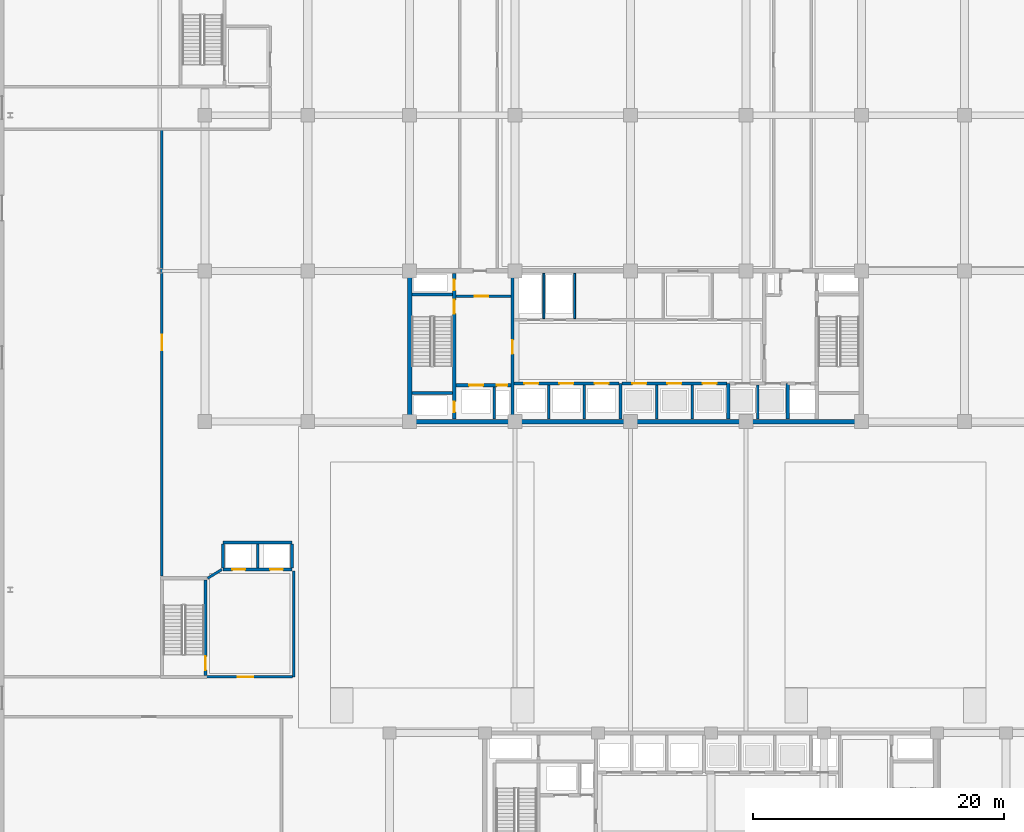
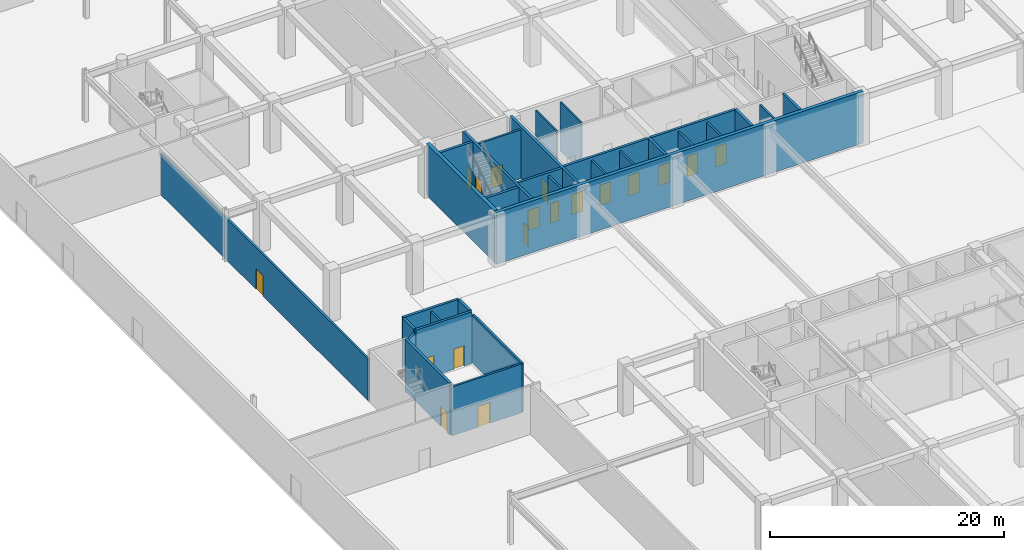
# One storey, part 25 of 46: 31 walls, 18 doors, 18 openings.
"""IFC4 building model written with IfcOpenShell, lengths in metres."""

from ifc_helpers import new_model, si_unit, direction, frame, frame_2d, origin, place, context, subcontext, project, spatial, rectangle, extrude, material, layer, layer_set, type_object, element, fill, save


model = new_model("IFC4")

# Units and contexts
model_context = context("Model", 3, precision=1e-05, world=origin(), true_north=direction((0.0, 1.0)))
body_context = subcontext(model_context, "Body", "Model", "MODEL_VIEW")
ifc_project = project(units=[si_unit("LENGTHUNIT", "METRE"), si_unit("AREAUNIT", "SQUARE_METRE"), si_unit("VOLUMEUNIT", "CUBIC_METRE"), si_unit("PLANEANGLEUNIT", "RADIAN"), si_unit("MASSUNIT", "GRAM", prefix="KILO")], contexts=[model_context])

# Site, building, storey
site_placement = place(None, origin())
site = spatial("IfcSite", under=ifc_project, at=site_placement, CompositionType="ELEMENT")
building_placement = place(site_placement, origin())
building = spatial("IfcBuilding", under=site, at=building_placement, Name="Korimba Cascade Residences", CompositionType="ELEMENT")
storey_placement = place(building_placement, origin())
storey = spatial("IfcBuildingStorey", under=building, at=storey_placement, Name="L00", CompositionType="ELEMENT", Elevation=0.0)

# Walls
ifc_material_1 = material(Name="Concrete C65/80", Category="concrete")
ifc_layer_1 = layer(ifc_material_1, 0.35009765625)
ifc_layer_set_1 = layer_set([ifc_layer_1], Name="Concrete C65/80")
wall_type_1 = type_object("IfcWallType", Name="WAL-CORE-350", PredefinedType="SHEAR", material=ifc_layer_set_1)
wall_1_placement = place(storey_placement, frame((75.949951171875, 55.199951171875, 0.0), z_axis=(0.0, 0.0, 1.0), x_axis=(1.0, 0.0, 0.0)))
element("IfcWall", 1, at=wall_1_placement, inside=storey, type_object=wall_type_1, Name="L00 Core Shear Wall CW-L00-T1-S", PredefinedType="SHEAR", context=body_context, shape_type="SweptSolid", body=[
    extrude(rectangle(XDim=36.300048828125, YDim=0.35009765625, at=frame_2d((18.14990234375, 0.0))), origin(), (0.0, 0.0, 1.0), 5.39990234375),
])
wall_2_placement = place(storey_placement, frame((76.125, 55.375, 0.0), z_axis=(0.0, 0.0, 1.0), x_axis=(0.0, 1.0, 0.0)))
element("IfcWall", 2, at=wall_2_placement, inside=storey, type_object=wall_type_1, Name="L00 Core Shear Wall CW-L00-T1-W", PredefinedType="SHEAR", context=body_context, shape_type="SweptSolid", body=[
    extrude(rectangle(XDim=11.64990234375, YDim=0.35009765625, at=frame_2d((5.824951171875, 0.0))), origin(), (0.0, 0.0, 1.0), 5.39990234375),
])
ifc_material_2 = material(Name="Insulated Acoustic Stud Partition", Category="gypsum")
ifc_layer_2 = layer(ifc_material_2, 0.14990234375)
ifc_layer_set_2 = layer_set([ifc_layer_2], Name="Insulated Acoustic Stud Partition")
wall_type_2 = type_object("IfcWallType", Name="WAL-PART-150", PredefinedType="PARTITIONING", material=ifc_layer_set_2)
for number, where, z_axis, x_axis, name in (
    (3, (86.800048828125, 63.39990234375, 0.0), (0.0, 0.0, 1.0), (0.0, 1.0, 0.0), "L00 Partition Wall CW-L00-T1-ERDIV"),
    (4, (89.25, 63.39990234375, 0.0), (0.0, 0.0, 1.0), (0.0, 1.0, 0.0), "L00 Partition Wall CW-L00-T1-PRDIV"),
):
    element("IfcWall", number, at=place(storey_placement, frame(where, z_axis=z_axis, x_axis=x_axis)), inside=storey, type_object=wall_type_2, Name=name, PredefinedType="PARTITIONING", context=body_context, shape_type="SweptSolid", body=[
        extrude(rectangle(XDim=3.60009765625, YDim=0.14990234375, at=frame_2d((1.800048828125, 0.0))), origin(), (0.0, 0.0, 1.0), 5.10009765625),
    ])
ifc_material_3 = material(Name="Concrete C40/50", Category="concrete")
ifc_layer_3 = layer(ifc_material_3, 0.199951171875)
ifc_layer_set_3 = layer_set([ifc_layer_3], Name="Concrete C40/50")
wall_type_3 = type_object("IfcWallType", Name="WAL-PART-200", PredefinedType="PARTITIONING", material=ifc_layer_set_3)
wall_3_placement = place(storey_placement, frame((82.85009765625, 55.39990234375, 0.0), z_axis=(0.0, 0.0, 1.0), x_axis=(0.0, 1.0, 0.0)))
element("IfcWall", 5, at=wall_3_placement, inside=storey, type_object=wall_type_3, Name="L00 Partition Wall CW-L00-T1-FFLDIV", PredefinedType="PARTITIONING", context=body_context, shape_type="SweptSolid", body=[
    extrude(rectangle(XDim=2.56005859375, YDim=0.199951171875, at=frame_2d((1.280029296875, 0.0))), origin(), (0.0, 0.0, 1.0), 5.10009765625),
])

# Wall, opening, door
wall_4_placement = place(storey_placement, frame((79.7900390625, 65.179931640625, 0.0), z_axis=(0.0, 0.0, 1.0), x_axis=(1.0, 0.0, 0.0)))
wall_4 = element("IfcWall", 6, at=wall_4_placement, inside=storey, type_object=wall_type_3, Name="L00 Partition Wall CW-L00-T1-FFLN", PredefinedType="PARTITIONING", context=body_context, shape_type="SweptSolid", body=[
    extrude(rectangle(XDim=4.389892578125, YDim=0.199951171875, at=frame_2d((2.19482421875, 0.0))), origin(), (0.0, 0.0, 1.0), 5.10009765625),
])
opening_1_placement = place(wall_4_placement, frame((1.5, 0.0, 0.0)))
opening_1 = element("IfcOpeningElement", 7, at=opening_1_placement, cuts=wall_4, Name="Opening D-FD1", PredefinedType="OPENING", context=body_context, shape_type="SweptSolid", body=[
    extrude(rectangle(XDim=1.10009765625, YDim=2.10009765625, at=frame_2d((0.550048828125, 1.050048828125))), frame((0.0, 0.10986328125, 0.0), z_axis=(0.0, -1.0, 0.0), x_axis=(1.0, 0.0, 0.0)), (0.0, 0.0, 1.0), 0.219970703125),
])
ifc_material_4 = material(Name="Fire-Rated Steel Core Door", Category="steel")
door_type_1 = type_object("IfcDoorType", Name="DR-FD120-1100", OperationType="NOTDEFINED", PredefinedType="DOOR", material=ifc_material_4)
door_1_placement = place(opening_1_placement, origin())
door_1 = element("IfcDoor", 8, at=door_1_placement, inside=storey, type_object=door_type_1, Name="L00 West Firefighting Lobby Door", OperationType="SINGLE_SWING_RIGHT", OverallHeight=2.10009765625, OverallWidth=1.10009765625, PredefinedType="DOOR", context=body_context, shape_type="SweptSolid", body=[
    extrude(rectangle(XDim=1.10009765625, YDim=2.10009765625, at=frame_2d((0.550048828125, 1.050048828125))), frame((0.0, 0.02490234375, 0.0), z_axis=(0.0, -1.0, 0.0), x_axis=(1.0, 0.0, 0.0)), (0.0, 0.0, 1.0), 0.050048828125),
])
fill(opening_1, door_1)

# Walls
for number, where, z_axis, x_axis, name in (
    (9, (87.199951171875, 55.39990234375, 0.0), (0.0, 0.0, 1.0), (0.0, 1.0, 0.0), "L00 Partition Wall CW-L00-T1-B1D1"),
    (10, (90.0, 55.39990234375, 0.0), (0.0, 0.0, 1.0), (0.0, 1.0, 0.0), "L00 Partition Wall CW-L00-T1-B1D2"),
    (11, (95.800048828125, 55.39990234375, 0.0), (0.0, 0.0, 1.0), (0.0, 1.0, 0.0), "L00 Partition Wall CW-L00-T1-B2D1"),
    (12, (98.60009765625, 55.39990234375, 0.0), (0.0, 0.0, 1.0), (0.0, 1.0, 0.0), "L00 Partition Wall CW-L00-T1-B2D2"),
    (13, (103.85009765625, 55.39990234375, 0.0), (0.0, 0.0, 1.0), (0.0, 1.0, 0.0), "L00 Partition Wall CW-L00-T1-B3D1"),
):
    element("IfcWall", number, at=place(storey_placement, frame(where, z_axis=z_axis, x_axis=x_axis)), inside=storey, type_object=wall_type_3, Name=name, PredefinedType="PARTITIONING", context=body_context, shape_type="SweptSolid", body=[
        extrude(rectangle(XDim=2.72021484375, YDim=0.199951171875, at=frame_2d((1.360107421875, 0.0))), origin(), (0.0, 0.0, 1.0), 5.10009765625),
    ])
wall_5_placement = place(storey_placement, frame((64.0, 43.550048828125, 0.0), z_axis=(0.0, 0.0, 1.0), x_axis=(0.0, 1.0, 0.0)))
element("IfcWall", 14, at=wall_5_placement, inside=storey, type_object=wall_type_3, Name="L00 Partition Wall CW-L00-SHPM", PredefinedType="PARTITIONING", context=body_context, shape_type="SweptSolid", body=[
    extrude(rectangle(XDim=1.89990234375, YDim=0.199951171875, at=frame_2d((0.949951171875, 0.0))), origin(), (0.0, 0.0, 1.0), 5.10009765625),
])

# Wall, opening, door
wall_6_placement = place(storey_placement, frame((59.840087890625, 34.875, 0.0), z_axis=(0.0, 0.0, 1.0), x_axis=(1.0, 0.0, 0.0)))
wall_6 = element("IfcWall", 15, at=wall_6_placement, inside=storey, type_object=wall_type_3, Name="L00 Partition Wall CW-L00-PLOBS", PredefinedType="PARTITIONING", context=body_context, shape_type="SweptSolid", body=[
    extrude(rectangle(XDim=6.9599609375, YDim=0.199951171875, at=frame_2d((3.47998046875, 0.0))), origin(), (0.0, 0.0, 1.0), 5.10009765625),
])
opening_2_placement = place(wall_6_placement, frame((2.60009765625, 0.0, 0.0)))
opening_2 = element("IfcOpeningElement", 16, at=opening_2_placement, cuts=wall_6, Name="Opening D-FD7", PredefinedType="OPENING", context=body_context, shape_type="SweptSolid", body=[
    extrude(rectangle(XDim=1.199951171875, YDim=2.179931640625, at=frame_2d((0.60009765625, 1.08984375))), frame((0.0, 0.10986328125, 0.0), z_axis=(0.0, -1.0, 0.0), x_axis=(1.0, 0.0, 0.0)), (0.0, 0.0, 1.0), 0.219970703125),
])
ifc_material_5 = material(Name="Fire-Rated Shuttle Lobby Door", Category="wood")
door_type_2 = type_object("IfcDoorType", Name="DR-FD90-1200", OperationType="NOTDEFINED", PredefinedType="DOOR", material=ifc_material_5)
door_2_placement = place(opening_2_placement, origin())
door_2 = element("IfcDoor", 17, at=door_2_placement, inside=storey, type_object=door_type_2, Name="L00 Shuttle Lobby Door", OperationType="SINGLE_SWING_RIGHT", OverallHeight=2.179931640625, OverallWidth=1.199951171875, PredefinedType="DOOR", context=body_context, shape_type="SweptSolid", body=[
    extrude(rectangle(XDim=1.199951171875, YDim=2.179931640625, at=frame_2d((0.60009765625, 1.08984375))), frame((0.0, 0.02490234375, 0.0), z_axis=(0.0, -1.0, 0.0), x_axis=(1.0, 0.0, 0.0)), (0.0, 0.0, 1.0), 0.050048828125),
])
fill(opening_2, door_2)

# Walls
wall_7_placement = place(storey_placement, frame((66.89990234375, 34.875, 0.0), z_axis=(0.0, 0.0, 1.0), x_axis=(0.0, 1.0, 0.0)))
element("IfcWall", 18, at=wall_7_placement, inside=storey, type_object=wall_type_3, Name="L00 Partition Wall CW-L00-PLOBE", PredefinedType="PARTITIONING", context=body_context, shape_type="SweptSolid", body=[
    extrude(rectangle(XDim=8.425048828125, YDim=0.199951171875, at=frame_2d((4.21240234375, 0.0))), origin(), (0.0, 0.0, 1.0), 5.10009765625),
])
wall_8_placement = place(storey_placement, frame((60.02001953125, 42.72509765625, 0.0), z_axis=(0.0, 0.0, 1.0), x_axis=(0.851822584555, 0.523830396638, 0.0)))
element("IfcWall", 19, at=wall_8_placement, inside=storey, type_object=wall_type_3, Name="L00 Partition Wall CW-L00-PLOBN", PredefinedType="PARTITIONING", context=body_context, shape_type="SweptSolid", body=[
    extrude(rectangle(XDim=1.326416015625, YDim=0.199951171875, at=frame_2d((0.6630859375, 0.0))), origin(), (0.0, 0.0, 1.0), 5.10009765625),
])

# Wall, opening, door
wall_9_placement = place(storey_placement, frame((56.375, 42.89990234375, 0.0), z_axis=(0.0, 0.0, 1.0), x_axis=(0.0, 1.0, 0.0)))
wall_9 = element("IfcWall", 20, at=wall_9_placement, inside=storey, type_object=wall_type_3, Name="L00 Partition Wall WAL-L00-BKE", PredefinedType="PARTITIONING", context=body_context, shape_type="SweptSolid", body=[
    extrude(rectangle(XDim=35.550048828125, YDim=0.199951171875, at=frame_2d((17.77490234375, 0.0))), origin(), (0.0, 0.0, 1.0), 4.330078125),
])
opening_3_placement = place(wall_9_placement, frame((18.0, 0.0, 0.0)))
opening_3 = element("IfcOpeningElement", 21, at=opening_3_placement, cuts=wall_9, Name="Opening D-AM1", PredefinedType="OPENING", context=body_context, shape_type="SweptSolid", body=[
    extrude(rectangle(XDim=1.219970703125, YDim=2.179931640625, at=frame_2d((0.60986328125, 1.08984375))), frame((0.0, 0.10986328125, 0.0), z_axis=(0.0, -1.0, 0.0), x_axis=(1.0, 0.0, 0.0)), (0.0, 0.0, 1.0), 0.219970703125),
])
ifc_material_6 = material(Name="Fire-Rated Glazed Timber Suite Door", Category="wood")
door_type_3 = type_object("IfcDoorType", Name="DR-FD60-1200", OperationType="NOTDEFINED", PredefinedType="DOOR", material=ifc_material_6)
door_3_placement = place(opening_3_placement, origin())
door_3 = element("IfcDoor", 22, at=door_3_placement, inside=storey, type_object=door_type_3, Name="L00 Bicycle Hub Door", OperationType="SINGLE_SWING_LEFT", OverallHeight=2.179931640625, OverallWidth=1.219970703125, PredefinedType="DOOR", context=body_context, shape_type="SweptSolid", body=[
    extrude(rectangle(XDim=1.219970703125, YDim=2.179931640625, at=frame_2d((0.60986328125, 1.08984375))), frame((0.0, 0.02490234375, 0.0), z_axis=(0.0, -1.0, 0.0), x_axis=(1.0, 0.0, 0.0)), (0.0, 0.0, 1.0), 0.050048828125),
])
fill(opening_3, door_3)

# Wall, openings, doors
ifc_material_7 = material(Name="Concrete C50/60", Category="concrete")
ifc_layer_4 = layer(ifc_material_7, 0.25)
ifc_layer_set_4 = layer_set([ifc_layer_4], Name="Concrete C50/60")
wall_type_4 = type_object("IfcWallType", Name="WAL-SHAFT-250", PredefinedType="SHEAR", material=ifc_layer_set_4)
wall_10_placement = place(storey_placement, frame((79.6650390625, 55.39990234375, 0.0), z_axis=(0.0, 0.0, 1.0), x_axis=(0.0, 1.0, 0.0)))
wall_10 = element("IfcWall", 23, at=wall_10_placement, inside=storey, type_object=wall_type_4, Name="L00 Core Shear Wall CW-L00-T1-STW1E", PredefinedType="SHEAR", context=body_context, shape_type="SweptSolid", body=[
    extrude(rectangle(XDim=11.60009765625, YDim=0.25, at=frame_2d((5.800048828125, 0.0))), origin(), (0.0, 0.0, 1.0), 5.39990234375),
])
opening_4_placement = place(wall_10_placement, frame((0.550048828125, 0.0, 0.0)))
opening_4 = element("IfcOpeningElement", 24, at=opening_4_placement, cuts=wall_10, Name="Opening D-RS1", PredefinedType="OPENING", context=body_context, shape_type="SweptSolid", body=[
    extrude(rectangle(XDim=0.85009765625, YDim=2.050048828125, at=frame_2d((0.425048828125, 1.02490234375))), frame((0.0, 0.135009765625, 0.0), z_axis=(0.0, -1.0, 0.0), x_axis=(1.0, 0.0, 0.0)), (0.0, 0.0, 1.0), 0.27001953125),
])
opening_5_placement = place(wall_10_placement, frame((8.39990234375, 0.0, 0.0)))
opening_5 = element("IfcOpeningElement", 25, at=opening_5_placement, cuts=wall_10, Name="Opening D-FD1", PredefinedType="OPENING", context=body_context, shape_type="SweptSolid", body=[
    extrude(rectangle(XDim=1.10009765625, YDim=2.10009765625, at=frame_2d((0.550048828125, 1.050048828125))), frame((0.0, 0.135009765625, 0.0), z_axis=(0.0, -1.0, 0.0), x_axis=(1.0, 0.0, 0.0)), (0.0, 0.0, 1.0), 0.27001953125),
])
opening_6_placement = place(wall_10_placement, frame((10.25, 0.0, 0.0)))
opening_6 = element("IfcOpeningElement", 26, at=opening_6_placement, cuts=wall_10, Name="Opening D-RS1", PredefinedType="OPENING", context=body_context, shape_type="SweptSolid", body=[
    extrude(rectangle(XDim=0.85009765625, YDim=2.050048828125, at=frame_2d((0.425048828125, 1.02490234375))), frame((0.0, 0.135009765625, 0.0), z_axis=(0.0, -1.0, 0.0), x_axis=(1.0, 0.0, 0.0)), (0.0, 0.0, 1.0), 0.27001953125),
])
door_4_placement = place(opening_5_placement, origin())
door_4 = element("IfcDoor", 27, at=door_4_placement, inside=storey, type_object=door_type_1, Name="L00 Fire Stair ST-W1 Door", OperationType="SINGLE_SWING_LEFT", OverallHeight=2.10009765625, OverallWidth=1.10009765625, PredefinedType="DOOR", context=body_context, shape_type="SweptSolid", body=[
    extrude(rectangle(XDim=1.10009765625, YDim=2.10009765625, at=frame_2d((0.550048828125, 1.050048828125))), frame((0.0, 0.02490234375, 0.0), z_axis=(0.0, -1.0, 0.0), x_axis=(1.0, 0.0, 0.0)), (0.0, 0.0, 1.0), 0.050048828125),
])
fill(opening_5, door_4)
ifc_material_8 = material(Name="Fire-Rated Steel Riser Access Door", Category="steel")
door_type_4 = type_object("IfcDoorType", Name="DR-FD60-850", OperationType="NOTDEFINED", PredefinedType="DOOR", material=ifc_material_8)
door_5_placement = place(opening_4_placement, origin())
door_5 = element("IfcDoor", 28, at=door_5_placement, inside=storey, type_object=door_type_4, Name="L00 Smoke Riser Access Door", OperationType="SINGLE_SWING_RIGHT", OverallHeight=2.050048828125, OverallWidth=0.85009765625, PredefinedType="DOOR", context=body_context, shape_type="SweptSolid", body=[
    extrude(rectangle(XDim=0.85009765625, YDim=2.050048828125, at=frame_2d((0.425048828125, 1.02490234375))), frame((0.0, 0.02490234375, 0.0), z_axis=(0.0, -1.0, 0.0), x_axis=(1.0, 0.0, 0.0)), (0.0, 0.0, 1.0), 0.050048828125),
])
fill(opening_4, door_5)
door_6_placement = place(opening_6_placement, origin())
door_6 = element("IfcDoor", 29, at=door_6_placement, inside=storey, type_object=door_type_4, Name="L00 Hydrant Riser Access Door", OperationType="SINGLE_SWING_RIGHT", OverallHeight=2.050048828125, OverallWidth=0.85009765625, PredefinedType="DOOR", context=body_context, shape_type="SweptSolid", body=[
    extrude(rectangle(XDim=0.85009765625, YDim=2.050048828125, at=frame_2d((0.425048828125, 1.02490234375))), frame((0.0, 0.02490234375, 0.0), z_axis=(0.0, -1.0, 0.0), x_axis=(1.0, 0.0, 0.0)), (0.0, 0.0, 1.0), 0.050048828125),
])
fill(opening_6, door_6)

# Walls
for number, where, z_axis, x_axis, name in (
    (30, (76.300048828125, 57.47509765625, 0.0), (0.0, 0.0, 1.0), (1.0, 0.0, 0.0), "L00 Core Shear Wall CW-L00-T1-STW1S"),
    (31, (76.300048828125, 65.324951171875, 0.0), (0.0, 0.0, 1.0), (1.0, 0.0, 0.0), "L00 Core Shear Wall CW-L00-T1-STW1N"),
):
    element("IfcWall", number, at=place(storey_placement, frame(where, z_axis=z_axis, x_axis=x_axis)), inside=storey, type_object=wall_type_4, Name=name, PredefinedType="SHEAR", context=body_context, shape_type="SweptSolid", body=[
        extrude(rectangle(XDim=3.239990234375, YDim=0.25, at=frame_2d((1.6201171875, 0.0))), origin(), (0.0, 0.0, 1.0), 5.39990234375),
    ])

# Wall, openings, doors
wall_11_placement = place(storey_placement, frame((79.7900390625, 58.10009765625, 0.0), z_axis=(0.0, 0.0, 1.0), x_axis=(1.0, 0.0, 0.0)))
wall_11 = element("IfcWall", 32, at=wall_11_placement, inside=storey, type_object=wall_type_4, Name="L00 Core Shear Wall CW-L00-T1-FFLS", PredefinedType="SHEAR", context=body_context, shape_type="SweptSolid", body=[
    extrude(rectangle(XDim=4.389892578125, YDim=0.25, at=frame_2d((2.19482421875, 0.0))), origin(), (0.0, 0.0, 1.0), 5.39990234375),
])
opening_7_placement = place(wall_11_placement, frame((1.050048828125, 0.0, 0.0)))
opening_7 = element("IfcOpeningElement", 33, at=opening_7_placement, cuts=wall_11, Name="Opening LD-01", PredefinedType="OPENING", context=body_context, shape_type="SweptSolid", body=[
    extrude(rectangle(XDim=1.1201171875, YDim=2.1201171875, at=frame_2d((0.56005859375, 1.06005859375))), frame((0.0, 0.135009765625, 0.0), z_axis=(0.0, -1.0, 0.0), x_axis=(1.0, 0.0, 0.0)), (0.0, 0.0, 1.0), 0.27001953125),
])
opening_8_placement = place(wall_11_placement, frame((3.260009765625, 0.0, 0.0)))
opening_8 = element("IfcOpeningElement", 34, at=opening_8_placement, cuts=wall_11, Name="Opening D-RS1", PredefinedType="OPENING", context=body_context, shape_type="SweptSolid", body=[
    extrude(rectangle(XDim=0.85009765625, YDim=2.050048828125, at=frame_2d((0.425048828125, 1.02490234375))), frame((0.0, 0.135009765625, 0.0), z_axis=(0.0, -1.0, 0.0), x_axis=(1.0, 0.0, 0.0)), (0.0, 0.0, 1.0), 0.27001953125),
])
door_7_placement = place(opening_8_placement, origin())
door_7 = element("IfcDoor", 35, at=door_7_placement, inside=storey, type_object=door_type_4, Name="L00 Pressurisation Riser Door", OperationType="SINGLE_SWING_LEFT", OverallHeight=2.050048828125, OverallWidth=0.85009765625, PredefinedType="DOOR", context=body_context, shape_type="SweptSolid", body=[
    extrude(rectangle(XDim=0.85009765625, YDim=2.050048828125, at=frame_2d((0.425048828125, 1.02490234375))), frame((0.0, 0.02490234375, 0.0), z_axis=(0.0, -1.0, 0.0), x_axis=(1.0, 0.0, 0.0)), (0.0, 0.0, 1.0), 0.050048828125),
])
fill(opening_8, door_7)
ifc_material_9 = material(Name="Stainless Steel Lift Landing Sliding Door", Category="steel")
door_type_5 = type_object("IfcDoorType", Name="DR-LIFT-1100", OperationType="NOTDEFINED", PredefinedType="DOOR", material=ifc_material_9)
door_8_placement = place(opening_7_placement, origin())
door_8 = element("IfcDoor", 36, at=door_8_placement, inside=storey, type_object=door_type_5, Name="L00 Firefighting Lift Landing Door FFL-W1", OperationType="SLIDING_TO_LEFT", OverallHeight=2.1201171875, OverallWidth=1.1201171875, PredefinedType="DOOR", context=body_context, shape_type="SweptSolid", body=[
    extrude(rectangle(XDim=1.1201171875, YDim=2.1201171875, at=frame_2d((0.56005859375, 1.06005859375))), frame((0.0, 0.02490234375, 0.0), z_axis=(0.0, -1.0, 0.0), x_axis=(1.0, 0.0, 0.0)), (0.0, 0.0, 1.0), 0.050048828125),
])
fill(opening_7, door_8)

# Wall, opening, door
wall_12_placement = place(storey_placement, frame((84.300048828125, 55.39990234375, 0.0), z_axis=(0.0, 0.0, 1.0), x_axis=(0.0, 1.0, 0.0)))
wall_12 = element("IfcWall", 37, at=wall_12_placement, inside=storey, type_object=wall_type_4, Name="L00 Core Shear Wall CW-L00-T1-FFLE", PredefinedType="SHEAR", context=body_context, shape_type="SweptSolid", body=[
    extrude(rectangle(XDim=11.60009765625, YDim=0.25, at=frame_2d((5.800048828125, 0.0))), origin(), (0.0, 0.0, 1.0), 5.39990234375),
])
opening_9_placement = place(wall_12_placement, frame((5.199951171875, 0.0, 0.0)))
opening_9 = element("IfcOpeningElement", 38, at=opening_9_placement, cuts=wall_12, Name="Opening D-FD1", PredefinedType="OPENING", context=body_context, shape_type="SweptSolid", body=[
    extrude(rectangle(XDim=1.10009765625, YDim=2.10009765625, at=frame_2d((0.550048828125, 1.050048828125))), frame((0.0, 0.135009765625, 0.0), z_axis=(0.0, -1.0, 0.0), x_axis=(1.0, 0.0, 0.0)), (0.0, 0.0, 1.0), 0.27001953125),
])
door_9_placement = place(opening_9_placement, origin())
door_9 = element("IfcDoor", 39, at=door_9_placement, inside=storey, type_object=door_type_1, Name="L00 Firefighting Lobby to Lift Lobby Door", OperationType="SINGLE_SWING_LEFT", OverallHeight=2.10009765625, OverallWidth=1.10009765625, PredefinedType="DOOR", context=body_context, shape_type="SweptSolid", body=[
    extrude(rectangle(XDim=1.10009765625, YDim=2.10009765625, at=frame_2d((0.550048828125, 1.050048828125))), frame((0.0, 0.02490234375, 0.0), z_axis=(0.0, -1.0, 0.0), x_axis=(1.0, 0.0, 0.0)), (0.0, 0.0, 1.0), 0.050048828125),
])
fill(opening_9, door_9)

# Wall, openings, doors
wall_13_placement = place(storey_placement, frame((84.419921875, 58.25, 0.0), z_axis=(0.0, 0.0, 1.0), x_axis=(1.0, 0.0, 0.0)))
wall_13 = element("IfcWall", 40, at=wall_13_placement, inside=storey, type_object=wall_type_4, Name="L00 Core Shear Wall CW-L00-T1-B1N", PredefinedType="SHEAR", context=body_context, shape_type="SweptSolid", body=[
    extrude(rectangle(XDim=8.360107421875, YDim=0.25, at=frame_2d((4.18017578125, 0.0))), origin(), (0.0, 0.0, 1.0), 5.39990234375),
])
opening_10_placement = place(wall_13_placement, frame((0.820068359375, 0.0, 0.0)))
opening_10 = element("IfcOpeningElement", 41, at=opening_10_placement, cuts=wall_13, Name="Opening LD-01", PredefinedType="OPENING", context=body_context, shape_type="SweptSolid", body=[
    extrude(rectangle(XDim=1.1201171875, YDim=2.1201171875, at=frame_2d((0.56005859375, 1.06005859375))), frame((0.0, 0.135009765625, 0.0), z_axis=(0.0, -1.0, 0.0), x_axis=(1.0, 0.0, 0.0)), (0.0, 0.0, 1.0), 0.27001953125),
])
opening_11_placement = place(wall_13_placement, frame((3.6201171875, 0.0, 0.0)))
opening_11 = element("IfcOpeningElement", 42, at=opening_11_placement, cuts=wall_13, Name="Opening LD-01", PredefinedType="OPENING", context=body_context, shape_type="SweptSolid", body=[
    extrude(rectangle(XDim=1.1201171875, YDim=2.1201171875, at=frame_2d((0.56005859375, 1.06005859375))), frame((0.0, 0.135009765625, 0.0), z_axis=(0.0, -1.0, 0.0), x_axis=(1.0, 0.0, 0.0)), (0.0, 0.0, 1.0), 0.27001953125),
])
opening_12_placement = place(wall_13_placement, frame((6.419921875, 0.0, 0.0)))
opening_12 = element("IfcOpeningElement", 43, at=opening_12_placement, cuts=wall_13, Name="Opening LD-01", PredefinedType="OPENING", context=body_context, shape_type="SweptSolid", body=[
    extrude(rectangle(XDim=1.1201171875, YDim=2.1201171875, at=frame_2d((0.56005859375, 1.06005859375))), frame((0.0, 0.135009765625, 0.0), z_axis=(0.0, -1.0, 0.0), x_axis=(1.0, 0.0, 0.0)), (0.0, 0.0, 1.0), 0.27001953125),
])
door_10_placement = place(opening_10_placement, origin())
door_10 = element("IfcDoor", 44, at=door_10_placement, inside=storey, type_object=door_type_5, Name="L00 Lift Landing Door PL-W1", OperationType="SLIDING_TO_LEFT", OverallHeight=2.1201171875, OverallWidth=1.1201171875, PredefinedType="DOOR", context=body_context, shape_type="SweptSolid", body=[
    extrude(rectangle(XDim=1.1201171875, YDim=2.1201171875, at=frame_2d((0.56005859375, 1.06005859375))), frame((0.0, 0.02490234375, 0.0), z_axis=(0.0, -1.0, 0.0), x_axis=(1.0, 0.0, 0.0)), (0.0, 0.0, 1.0), 0.050048828125),
])
fill(opening_10, door_10)
door_11_placement = place(opening_11_placement, origin())
door_11 = element("IfcDoor", 45, at=door_11_placement, inside=storey, type_object=door_type_5, Name="L00 Lift Landing Door PL-W2", OperationType="SLIDING_TO_LEFT", OverallHeight=2.1201171875, OverallWidth=1.1201171875, PredefinedType="DOOR", context=body_context, shape_type="SweptSolid", body=[
    extrude(rectangle(XDim=1.1201171875, YDim=2.1201171875, at=frame_2d((0.56005859375, 1.06005859375))), frame((0.0, 0.02490234375, 0.0), z_axis=(0.0, -1.0, 0.0), x_axis=(1.0, 0.0, 0.0)), (0.0, 0.0, 1.0), 0.050048828125),
])
fill(opening_11, door_11)
door_12_placement = place(opening_12_placement, origin())
door_12 = element("IfcDoor", 46, at=door_12_placement, inside=storey, type_object=door_type_5, Name="L00 Lift Landing Door PL-W3", OperationType="SLIDING_TO_LEFT", OverallHeight=2.1201171875, OverallWidth=1.1201171875, PredefinedType="DOOR", context=body_context, shape_type="SweptSolid", body=[
    extrude(rectangle(XDim=1.1201171875, YDim=2.1201171875, at=frame_2d((0.56005859375, 1.06005859375))), frame((0.0, 0.02490234375, 0.0), z_axis=(0.0, -1.0, 0.0), x_axis=(1.0, 0.0, 0.0)), (0.0, 0.0, 1.0), 0.050048828125),
])
fill(opening_12, door_12)

# Wall
wall_14_placement = place(storey_placement, frame((92.89990234375, 55.39990234375, 0.0), z_axis=(0.0, 0.0, 1.0), x_axis=(0.0, 1.0, 0.0)))
element("IfcWall", 47, at=wall_14_placement, inside=storey, type_object=wall_type_4, Name="L00 Core Shear Wall CW-L00-T1-B12DIV", PredefinedType="SHEAR", context=body_context, shape_type="SweptSolid", body=[
    extrude(rectangle(XDim=2.85009765625, YDim=0.25, at=frame_2d((1.425048828125, 0.0))), origin(), (0.0, 0.0, 1.0), 5.39990234375),
])

# Wall, openings, doors
wall_15_placement = place(storey_placement, frame((93.02001953125, 58.25, 0.0), z_axis=(0.0, 0.0, 1.0), x_axis=(1.0, 0.0, 0.0)))
wall_15 = element("IfcWall", 48, at=wall_15_placement, inside=storey, type_object=wall_type_4, Name="L00 Core Shear Wall CW-L00-T1-B2N", PredefinedType="SHEAR", context=body_context, shape_type="SweptSolid", body=[
    extrude(rectangle(XDim=8.35986328125, YDim=0.25, at=frame_2d((4.179931640625, 0.0))), origin(), (0.0, 0.0, 1.0), 5.39990234375),
])
opening_13_placement = place(wall_15_placement, frame((0.820068359375, 0.0, 0.0)))
opening_13 = element("IfcOpeningElement", 49, at=opening_13_placement, cuts=wall_15, Name="Opening LD-01", PredefinedType="OPENING", context=body_context, shape_type="SweptSolid", body=[
    extrude(rectangle(XDim=1.1201171875, YDim=2.1201171875, at=frame_2d((0.56005859375, 1.06005859375))), frame((0.0, 0.135009765625, 0.0), z_axis=(0.0, -1.0, 0.0), x_axis=(1.0, 0.0, 0.0)), (0.0, 0.0, 1.0), 0.27001953125),
])
opening_14_placement = place(wall_15_placement, frame((3.6201171875, 0.0, 0.0)))
opening_14 = element("IfcOpeningElement", 50, at=opening_14_placement, cuts=wall_15, Name="Opening LD-01", PredefinedType="OPENING", context=body_context, shape_type="SweptSolid", body=[
    extrude(rectangle(XDim=1.1201171875, YDim=2.1201171875, at=frame_2d((0.56005859375, 1.06005859375))), frame((0.0, 0.135009765625, 0.0), z_axis=(0.0, -1.0, 0.0), x_axis=(1.0, 0.0, 0.0)), (0.0, 0.0, 1.0), 0.27001953125),
])
opening_15_placement = place(wall_15_placement, frame((6.419921875, 0.0, 0.0)))
opening_15 = element("IfcOpeningElement", 51, at=opening_15_placement, cuts=wall_15, Name="Opening LD-01", PredefinedType="OPENING", context=body_context, shape_type="SweptSolid", body=[
    extrude(rectangle(XDim=1.1201171875, YDim=2.1201171875, at=frame_2d((0.56005859375, 1.06005859375))), frame((0.0, 0.135009765625, 0.0), z_axis=(0.0, -1.0, 0.0), x_axis=(1.0, 0.0, 0.0)), (0.0, 0.0, 1.0), 0.27001953125),
])
door_13_placement = place(opening_13_placement, origin())
door_13 = element("IfcDoor", 52, at=door_13_placement, inside=storey, type_object=door_type_5, Name="L00 Lift Landing Door PL-W4", OperationType="SLIDING_TO_RIGHT", OverallHeight=2.1201171875, OverallWidth=1.1201171875, PredefinedType="DOOR", context=body_context, shape_type="SweptSolid", body=[
    extrude(rectangle(XDim=1.1201171875, YDim=2.1201171875, at=frame_2d((0.56005859375, 1.06005859375))), frame((0.0, 0.02490234375, 0.0), z_axis=(0.0, -1.0, 0.0), x_axis=(1.0, 0.0, 0.0)), (0.0, 0.0, 1.0), 0.050048828125),
])
fill(opening_13, door_13)
door_14_placement = place(opening_14_placement, origin())
door_14 = element("IfcDoor", 53, at=door_14_placement, inside=storey, type_object=door_type_5, Name="L00 Lift Landing Door PL-W5", OperationType="SLIDING_TO_RIGHT", OverallHeight=2.1201171875, OverallWidth=1.1201171875, PredefinedType="DOOR", context=body_context, shape_type="SweptSolid", body=[
    extrude(rectangle(XDim=1.1201171875, YDim=2.1201171875, at=frame_2d((0.56005859375, 1.06005859375))), frame((0.0, 0.02490234375, 0.0), z_axis=(0.0, -1.0, 0.0), x_axis=(1.0, 0.0, 0.0)), (0.0, 0.0, 1.0), 0.050048828125),
])
fill(opening_14, door_14)
door_15_placement = place(opening_15_placement, origin())
door_15 = element("IfcDoor", 54, at=door_15_placement, inside=storey, type_object=door_type_5, Name="L00 Lift Landing Door PL-W6", OperationType="SLIDING_TO_RIGHT", OverallHeight=2.1201171875, OverallWidth=1.1201171875, PredefinedType="DOOR", context=body_context, shape_type="SweptSolid", body=[
    extrude(rectangle(XDim=1.1201171875, YDim=2.1201171875, at=frame_2d((0.56005859375, 1.06005859375))), frame((0.0, 0.02490234375, 0.0), z_axis=(0.0, -1.0, 0.0), x_axis=(1.0, 0.0, 0.0)), (0.0, 0.0, 1.0), 0.050048828125),
])
fill(opening_15, door_15)

# Walls
for number, where, z_axis, x_axis, name in (
    (55, (101.47998046875, 55.39990234375, 0.0), (0.0, 0.0, 1.0), (0.0, 1.0, 0.0), "L00 Core Shear Wall CW-L00-T1-B23DIV"),
    (56, (106.219970703125, 55.39990234375, 0.0), (0.0, 0.0, 1.0), (0.0, 1.0, 0.0), "L00 Core Shear Wall CW-L00-T1-FF2W"),
):
    element("IfcWall", number, at=place(storey_placement, frame(where, z_axis=z_axis, x_axis=x_axis)), inside=storey, type_object=wall_type_4, Name=name, PredefinedType="SHEAR", context=body_context, shape_type="SweptSolid", body=[
        extrude(rectangle(XDim=2.85009765625, YDim=0.25, at=frame_2d((1.425048828125, 0.0))), origin(), (0.0, 0.0, 1.0), 5.39990234375),
    ])

# Wall, opening, door
wall_16_placement = place(storey_placement, frame((59.864990234375, 35.0, 0.0), z_axis=(0.0, 0.0, 1.0), x_axis=(0.0, 1.0, 0.0)))
wall_16 = element("IfcWall", 57, at=wall_16_placement, inside=storey, type_object=wall_type_4, Name="L00 Core Shear Wall CW-L00-STP1E", PredefinedType="SHEAR", context=body_context, shape_type="SweptSolid", body=[
    extrude(rectangle(XDim=7.60009765625, YDim=0.25, at=frame_2d((3.800048828125, 0.0))), origin(), (0.0, 0.0, 1.0), 5.39990234375),
])
opening_16_placement = place(wall_16_placement, frame((0.39990234375, 0.0, 0.0)))
opening_16 = element("IfcOpeningElement", 58, at=opening_16_placement, cuts=wall_16, Name="Opening D-FD1", PredefinedType="OPENING", context=body_context, shape_type="SweptSolid", body=[
    extrude(rectangle(XDim=1.10009765625, YDim=2.10009765625, at=frame_2d((0.550048828125, 1.050048828125))), frame((0.0, 0.135009765625, 0.0), z_axis=(0.0, -1.0, 0.0), x_axis=(1.0, 0.0, 0.0)), (0.0, 0.0, 1.0), 0.27001953125),
])
door_16_placement = place(opening_16_placement, origin())
door_16 = element("IfcDoor", 59, at=door_16_placement, inside=storey, type_object=door_type_1, Name="L00 Podium Stair ST-P1 Door", OperationType="SINGLE_SWING_LEFT", OverallHeight=2.10009765625, OverallWidth=1.10009765625, PredefinedType="DOOR", context=body_context, shape_type="SweptSolid", body=[
    extrude(rectangle(XDim=1.10009765625, YDim=2.10009765625, at=frame_2d((0.550048828125, 1.050048828125))), frame((0.0, 0.02490234375, 0.0), z_axis=(0.0, -1.0, 0.0), x_axis=(1.0, 0.0, 0.0)), (0.0, 0.0, 1.0), 0.050048828125),
])
fill(opening_16, door_16)

# Wall, openings, doors
wall_17_placement = place(storey_placement, frame((61.25, 43.419921875, 0.0), z_axis=(0.0, 0.0, 1.0), x_axis=(1.0, 0.0, 0.0)))
wall_17 = element("IfcWall", 60, at=wall_17_placement, inside=storey, type_object=wall_type_4, Name="L00 Core Shear Wall CW-L00-SHPS", PredefinedType="SHEAR", context=body_context, shape_type="SweptSolid", body=[
    extrude(rectangle(XDim=5.5, YDim=0.25, at=frame_2d((2.75, 0.0))), origin(), (0.0, 0.0, 1.0), 5.39990234375),
])
opening_17_placement = place(wall_17_placement, frame((0.739990234375, 0.0, 0.0)))
opening_17 = element("IfcOpeningElement", 61, at=opening_17_placement, cuts=wall_17, Name="Opening LD-02", PredefinedType="OPENING", context=body_context, shape_type="SweptSolid", body=[
    extrude(rectangle(XDim=1.02001953125, YDim=2.1201171875, at=frame_2d((0.510009765625, 1.06005859375))), frame((0.0, 0.135009765625, 0.0), z_axis=(0.0, -1.0, 0.0), x_axis=(1.0, 0.0, 0.0)), (0.0, 0.0, 1.0), 0.27001953125),
])
opening_18_placement = place(wall_17_placement, frame((3.739990234375, 0.0, 0.0)))
opening_18 = element("IfcOpeningElement", 62, at=opening_18_placement, cuts=wall_17, Name="Opening LD-02", PredefinedType="OPENING", context=body_context, shape_type="SweptSolid", body=[
    extrude(rectangle(XDim=1.02001953125, YDim=2.1201171875, at=frame_2d((0.510009765625, 1.06005859375))), frame((0.0, 0.135009765625, 0.0), z_axis=(0.0, -1.0, 0.0), x_axis=(1.0, 0.0, 0.0)), (0.0, 0.0, 1.0), 0.27001953125),
])
ifc_material_10 = material(Name="Stainless Steel Shuttle Lift Landing Door", Category="steel")
door_type_6 = type_object("IfcDoorType", Name="DR-LIFT-1000", OperationType="NOTDEFINED", PredefinedType="DOOR", material=ifc_material_10)
door_17_placement = place(opening_17_placement, origin())
door_17 = element("IfcDoor", 63, at=door_17_placement, inside=storey, type_object=door_type_6, Name="L00 Shuttle Lift Landing Door PL-P1", OperationType="SLIDING_TO_LEFT", OverallHeight=2.1201171875, OverallWidth=1.02001953125, PredefinedType="DOOR", context=body_context, shape_type="SweptSolid", body=[
    extrude(rectangle(XDim=1.02001953125, YDim=2.1201171875, at=frame_2d((0.510009765625, 1.06005859375))), frame((0.0, 0.02490234375, 0.0), z_axis=(0.0, -1.0, 0.0), x_axis=(1.0, 0.0, 0.0)), (0.0, 0.0, 1.0), 0.050048828125),
])
fill(opening_17, door_17)
door_18_placement = place(opening_18_placement, origin())
door_18 = element("IfcDoor", 64, at=door_18_placement, inside=storey, type_object=door_type_6, Name="L00 Shuttle Lift Landing Door PL-P2", OperationType="SLIDING_TO_RIGHT", OverallHeight=2.1201171875, OverallWidth=1.02001953125, PredefinedType="DOOR", context=body_context, shape_type="SweptSolid", body=[
    extrude(rectangle(XDim=1.02001953125, YDim=2.1201171875, at=frame_2d((0.510009765625, 1.06005859375))), frame((0.0, 0.02490234375, 0.0), z_axis=(0.0, -1.0, 0.0), x_axis=(1.0, 0.0, 0.0)), (0.0, 0.0, 1.0), 0.050048828125),
])
fill(opening_18, door_18)

# Walls
wall_18_placement = place(storey_placement, frame((61.25, 45.580078125, 0.0), z_axis=(0.0, 0.0, 1.0), x_axis=(1.0, 0.0, 0.0)))
element("IfcWall", 65, at=wall_18_placement, inside=storey, type_object=wall_type_4, Name="L00 Core Shear Wall CW-L00-SHPN", PredefinedType="SHEAR", context=body_context, shape_type="SweptSolid", body=[
    extrude(rectangle(XDim=5.5, YDim=0.25, at=frame_2d((2.75, 0.0))), origin(), (0.0, 0.0, 1.0), 5.39990234375),
])
for number, where, z_axis, x_axis, name in (
    (66, (61.25, 43.550048828125, 0.0), (0.0, 0.0, 1.0), (0.0, 1.0, 0.0), "L00 Core Shear Wall CW-L00-SHPW"),
    (67, (66.75, 43.550048828125, 0.0), (0.0, 0.0, 1.0), (0.0, 1.0, 0.0), "L00 Core Shear Wall CW-L00-SHPE"),
):
    element("IfcWall", number, at=place(storey_placement, frame(where, z_axis=z_axis, x_axis=x_axis)), inside=storey, type_object=wall_type_4, Name=name, PredefinedType="SHEAR", context=body_context, shape_type="SweptSolid", body=[
        extrude(rectangle(XDim=1.89990234375, YDim=0.25, at=frame_2d((0.949951171875, 0.0))), origin(), (0.0, 0.0, 1.0), 5.39990234375),
    ])

save(model, "model.ifc")
